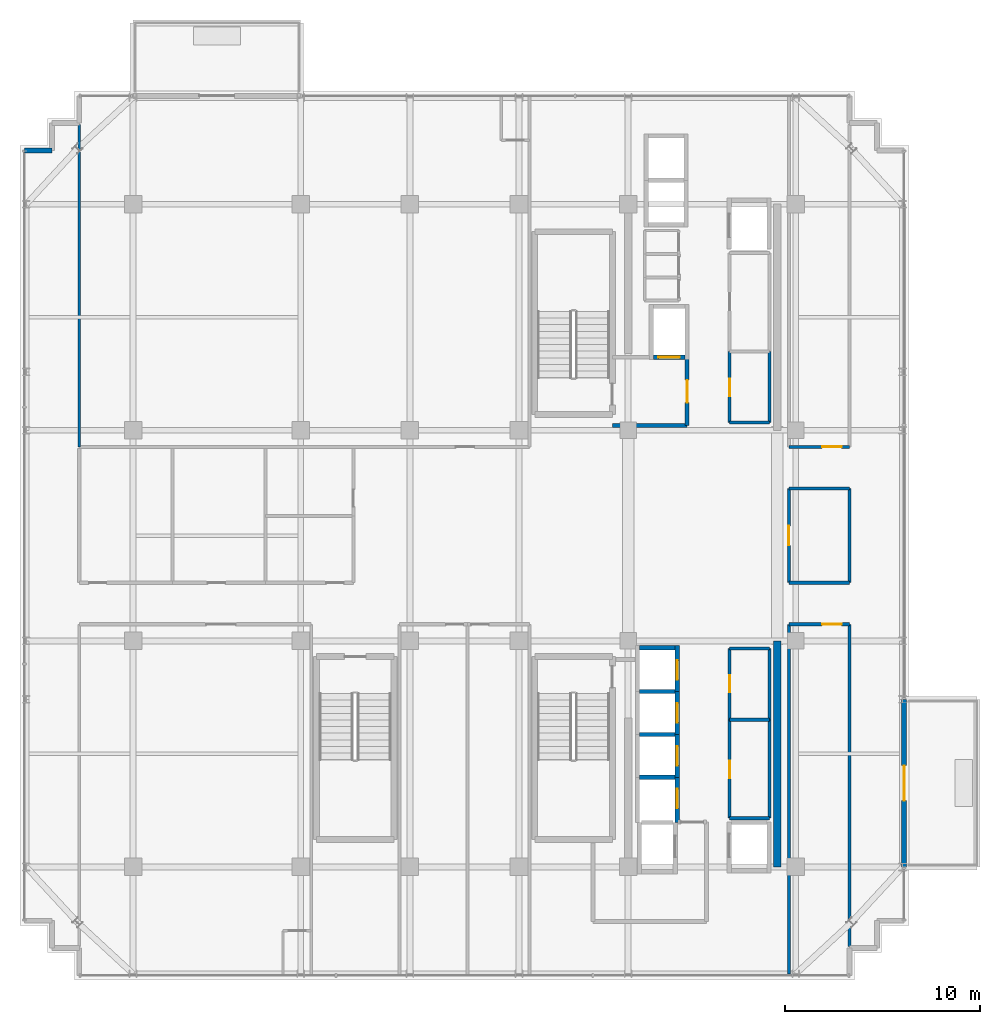
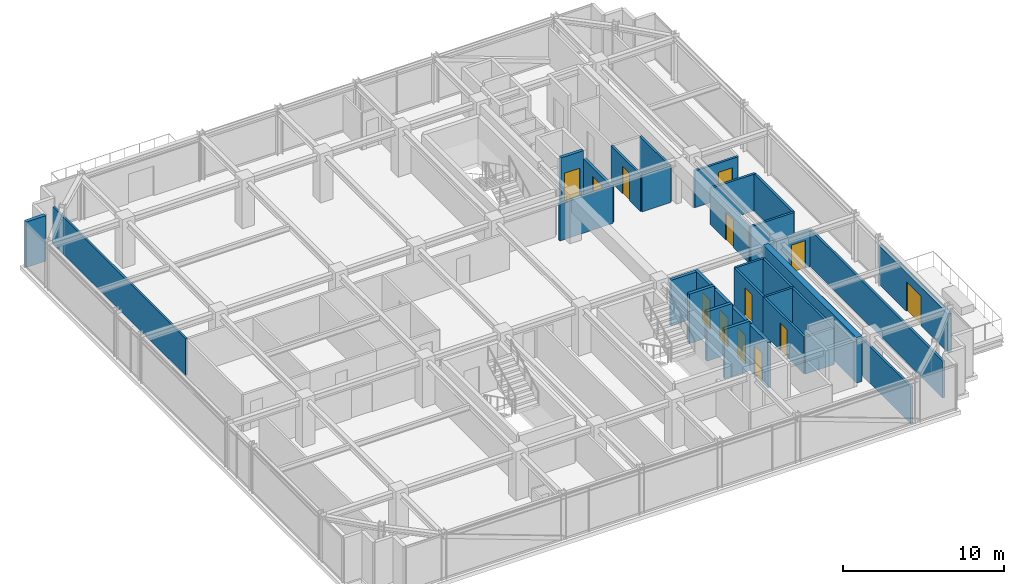
# One storey, part 25 of 31: 33 walls, 13 doors, 13 openings.
"""IFC4 building model written with IfcOpenShell, lengths in metres."""

from ifc_helpers import new_model, si_unit, direction, frame, frame_2d, origin, place, context, subcontext, project, spatial, rectangle, extrude, source, transform, mapped, material, layer, layer_set, type_object, element, fill, save


model = new_model("IFC4")

# Units and contexts
model_context = context("Model", 3, precision=1e-05, world=origin(), true_north=direction((0.0, 1.0)))
body_context = subcontext(model_context, "Body", "Model", "MODEL_VIEW")
ifc_project = project(units=[si_unit("LENGTHUNIT", "METRE"), si_unit("AREAUNIT", "SQUARE_METRE"), si_unit("VOLUMEUNIT", "CUBIC_METRE"), si_unit("PLANEANGLEUNIT", "RADIAN"), si_unit("MASSUNIT", "GRAM", prefix="KILO")], contexts=[model_context])

# Site, building, storey
site_placement = place(None, origin())
site = spatial("IfcSite", under=ifc_project, at=site_placement, CompositionType="ELEMENT")
building_placement = place(site_placement, origin())
building = spatial("IfcBuilding", under=site, at=building_placement, Name="Nahalor Promenade Grand Hotel", CompositionType="ELEMENT")
storey_placement = place(building_placement, frame((0.0, 0.0, 281.300048828125)))
storey = spatial("IfcBuildingStorey", under=building, at=storey_placement, Name="L72", CompositionType="ELEMENT", Elevation=281.300048828125)

# Wall
ifc_material_1 = material(Name="Concrete B-50 (C40/50)", Category="concrete")
ifc_layer_1 = layer(ifc_material_1, 0.39990234375)
ifc_layer_set_1 = layer_set([ifc_layer_1], Name="Concrete B-50 (C40/50)")
wall_type_1 = type_object("IfcWallType", Name="Wall-CoreShear-400", PredefinedType="SHEAR", material=ifc_layer_set_1)
shared_shape_1 = source(origin(), body_context, "Body", "SweptSolid", [
    extrude(rectangle(XDim=11.60009765625, YDim=0.39990234375, at=frame_2d((5.800048828125, 0.0))), origin(), (0.0, 0.0, 1.0), 3.449951171875),
])
wall_1_placement = place(storey_placement, frame((16.050048828125, -17.0, 0.0), z_axis=(0.0, 0.0, 1.0), x_axis=(0.0, 1.0, 0.0)))
element("IfcWall", 1, at=wall_1_placement, inside=storey, type_object=wall_type_1, Name="CWALL-L72-SE", PredefinedType="SHEAR", context=body_context, shape_type="MappedRepresentation", body=[
    mapped(shared_shape_1, transform((0.0, 0.0, 0.0), scale=1.0)),
])

# Wall, opening, door
ifc_layer_2 = layer(ifc_material_1, 0.219970703125)
ifc_layer_set_2 = layer_set([ifc_layer_2], Name="Concrete B-50 (C40/50)")
wall_type_2 = type_object("IfcWallType", Name="Wall-LiftShaft-220", PredefinedType="SHEAR", material=ifc_layer_set_2)
shared_shape_2 = source(origin(), body_context, "Body", "SweptSolid", [
    extrude(rectangle(XDim=2.360107421875, YDim=0.219970703125, at=frame_2d((1.18017578125, 0.0))), origin(), (0.0, 0.0, 1.0), 3.449951171875),
])
wall_2_placement = place(storey_placement, frame((10.919921875, -8.0, 0.0), z_axis=(0.0, 0.0, 1.0), x_axis=(0.0, 1.0, 0.0)))
wall_2 = element("IfcWall", 2, at=wall_2_placement, inside=storey, type_object=wall_type_2, Name="L72 Lift PL9 Hoistway Wall E", PredefinedType="SHEAR", context=body_context, shape_type="MappedRepresentation", body=[
    mapped(shared_shape_2, transform((0.0, 0.0, 0.0), scale=1.0)),
])
opening_1_placement = place(wall_2_placement, frame((0.60009765625, 0.0, 0.0)))
opening_1 = element("IfcOpeningElement", 3, at=opening_1_placement, cuts=wall_2, Name="Opening LD-01", PredefinedType="OPENING", context=body_context, shape_type="SweptSolid", body=[
    extrude(rectangle(XDim=1.0, YDim=2.199951171875, at=frame_2d((0.5, 1.10009765625))), frame((0.0, 0.119873046875, 0.0), z_axis=(0.0, -1.0, 0.0), x_axis=(1.0, 0.0, 0.0)), (0.0, 0.0, 1.0), 0.239990234375),
])
ifc_material_2 = material(Name="Steel S355JR", Category="steel")
door_type_1 = type_object("IfcDoorType", Name="Door-LiftLanding-1000", OperationType="DOUBLE_DOOR_SLIDING", PredefinedType="DOOR", material=ifc_material_2)
shared_shape_3 = source(origin(), body_context, "Body", "SweptSolid", [
    extrude(rectangle(XDim=1.0, YDim=2.199951171875, at=frame_2d((0.5, 1.10009765625))), frame((0.0, 0.02490234375, 0.0), z_axis=(0.0, -1.0, 0.0), x_axis=(1.0, 0.0, 0.0)), (0.0, 0.0, 1.0), 0.050048828125),
])
door_1_placement = place(opening_1_placement, frame((1.0, 0.0, 0.0), z_axis=(0.0, 0.0, 1.0), x_axis=(-1.0, 0.0, 0.0)))
door_1 = element("IfcDoor", 4, at=door_1_placement, inside=storey, type_object=door_type_1, Name="DR-LIFT-PL9-L72", OperationType="DOUBLE_DOOR_SLIDING", OverallHeight=2.199951171875, OverallWidth=1.0, PredefinedType="DOOR", context=body_context, shape_type="MappedRepresentation", body=[
    mapped(shared_shape_3, transform((0.0, 0.0, 0.0), scale=1.0)),
])
fill(opening_1, door_1)

# Wall
shared_shape_4 = source(origin(), body_context, "Body", "SweptSolid", [
    extrude(rectangle(XDim=1.820068359375, YDim=0.219970703125, at=frame_2d((0.91015625, 0.0))), origin(), (0.0, 0.0, 1.0), 3.449951171875),
])
wall_3_placement = place(storey_placement, frame((8.989990234375, -5.75, 0.0), z_axis=(0.0, 0.0, 1.0), x_axis=(1.0, 0.0, 0.0)))
element("IfcWall", 5, at=wall_3_placement, inside=storey, type_object=wall_type_2, Name="L72 Lift PL9 Hoistway Wall N", PredefinedType="SHEAR", context=body_context, shape_type="MappedRepresentation", body=[
    mapped(shared_shape_4, transform((0.0, 0.0, 0.0), scale=1.0)),
])

# Wall, opening, door
shared_shape_5 = source(origin(), body_context, "Body", "SweptSolid", [
    extrude(rectangle(XDim=2.199951171875, YDim=0.219970703125, at=frame_2d((1.10009765625, 0.0))), origin(), (0.0, 0.0, 1.0), 3.449951171875),
])
wall_4_placement = place(storey_placement, frame((10.919921875, -10.199951171875, 0.0), z_axis=(0.0, 0.0, 1.0), x_axis=(0.0, 1.0, 0.0)))
wall_4 = element("IfcWall", 6, at=wall_4_placement, inside=storey, type_object=wall_type_2, Name="L72 Lift PL10 Hoistway Wall E", PredefinedType="SHEAR", context=body_context, shape_type="MappedRepresentation", body=[
    mapped(shared_shape_5, transform((0.0, 0.0, 0.0), scale=1.0)),
])
opening_2_placement = place(wall_4_placement, frame((0.60009765625, 0.0, 0.0)))
opening_2 = element("IfcOpeningElement", 7, at=opening_2_placement, cuts=wall_4, Name="Opening LD-01", PredefinedType="OPENING", context=body_context, shape_type="SweptSolid", body=[
    extrude(rectangle(XDim=1.0, YDim=2.199951171875, at=frame_2d((0.5, 1.10009765625))), frame((0.0, 0.119873046875, 0.0), z_axis=(0.0, -1.0, 0.0), x_axis=(1.0, 0.0, 0.0)), (0.0, 0.0, 1.0), 0.239990234375),
])
door_2_placement = place(opening_2_placement, frame((1.0, 0.0, 0.0), z_axis=(0.0, 0.0, 1.0), x_axis=(-1.0, 0.0, 0.0)))
door_2 = element("IfcDoor", 8, at=door_2_placement, inside=storey, type_object=door_type_1, Name="DR-LIFT-PL10-L72", OperationType="DOUBLE_DOOR_SLIDING", OverallHeight=2.199951171875, OverallWidth=1.0, PredefinedType="DOOR", context=body_context, shape_type="MappedRepresentation", body=[
    mapped(shared_shape_3, transform((0.0, 0.0, 0.0), scale=1.0)),
])
fill(opening_2, door_2)

wall_5_placement = place(storey_placement, frame((10.919921875, -12.39990234375, 0.0), z_axis=(0.0, 0.0, 1.0), x_axis=(0.0, 1.0, 0.0)))
wall_5 = element("IfcWall", 9, at=wall_5_placement, inside=storey, type_object=wall_type_2, Name="L72 Lift PL11 Hoistway Wall E", PredefinedType="SHEAR", context=body_context, shape_type="MappedRepresentation", body=[
    mapped(shared_shape_5, transform((0.0, 0.0, 0.0), scale=1.0)),
])
opening_3_placement = place(wall_5_placement, frame((0.60009765625, 0.0, 0.0)))
opening_3 = element("IfcOpeningElement", 10, at=opening_3_placement, cuts=wall_5, Name="Opening LD-01", PredefinedType="OPENING", context=body_context, shape_type="SweptSolid", body=[
    extrude(rectangle(XDim=1.0, YDim=2.199951171875, at=frame_2d((0.5, 1.10009765625))), frame((0.0, 0.119873046875, 0.0), z_axis=(0.0, -1.0, 0.0), x_axis=(1.0, 0.0, 0.0)), (0.0, 0.0, 1.0), 0.239990234375),
])
door_3_placement = place(opening_3_placement, frame((1.0, 0.0, 0.0), z_axis=(0.0, 0.0, 1.0), x_axis=(-1.0, 0.0, 0.0)))
door_3 = element("IfcDoor", 11, at=door_3_placement, inside=storey, type_object=door_type_1, Name="DR-LIFT-PL11-L72", OperationType="DOUBLE_DOOR_SLIDING", OverallHeight=2.199951171875, OverallWidth=1.0, PredefinedType="DOOR", context=body_context, shape_type="MappedRepresentation", body=[
    mapped(shared_shape_3, transform((0.0, 0.0, 0.0), scale=1.0)),
])
fill(opening_3, door_3)

# Walls
shared_shape_6 = source(origin(), body_context, "Body", "SweptSolid", [
    extrude(rectangle(XDim=1.820068359375, YDim=0.219970703125, at=frame_2d((0.91015625, 0.0))), origin(), (0.0, 0.0, 1.0), 3.75),
])
for number, where, z_axis, x_axis, name in (
    (12, (8.989990234375, -8.0, 0.0), (0.0, 0.0, 1.0), (1.0, 0.0, 0.0), "L72 Lift PL10 Hoistway Wall N"),
    (13, (8.989990234375, -10.199951171875, 0.0), (0.0, 0.0, 1.0), (1.0, 0.0, 0.0), "L72 Lift PL11 Hoistway Wall N"),
    (14, (8.989990234375, -12.39990234375, 0.0), (0.0, 0.0, 1.0), (1.0, 0.0, 0.0), "L72 Lift PL12 Hoistway Wall N"),
):
    element("IfcWall", number, at=place(storey_placement, frame(where, z_axis=z_axis, x_axis=x_axis)), inside=storey, type_object=wall_type_2, Name=name, PredefinedType="SHEAR", context=body_context, shape_type="MappedRepresentation", body=[
        mapped(shared_shape_6, transform((0.0, 0.0, 0.0), scale=1.0)),
    ])

# Wall, opening, door
shared_shape_7 = source(origin(), body_context, "Body", "SweptSolid", [
    extrude(rectangle(XDim=2.3251953125, YDim=0.219970703125, at=frame_2d((1.16259765625, 0.0))), origin(), (0.0, 0.0, 1.0), 3.449951171875),
])
wall_6_placement = place(storey_placement, frame((10.919921875, -14.72509765625, 0.0), z_axis=(0.0, 0.0, 1.0), x_axis=(0.0, 1.0, 0.0)))
wall_6 = element("IfcWall", 15, at=wall_6_placement, inside=storey, type_object=wall_type_2, Name="L72 Lift PL12 Hoistway Wall E", PredefinedType="SHEAR", context=body_context, shape_type="MappedRepresentation", body=[
    mapped(shared_shape_7, transform((0.0, 0.0, 0.0), scale=1.0)),
])
opening_4_placement = place(wall_6_placement, frame((0.72509765625, 0.0, 0.0)))
opening_4 = element("IfcOpeningElement", 16, at=opening_4_placement, cuts=wall_6, Name="Opening LD-01", PredefinedType="OPENING", context=body_context, shape_type="SweptSolid", body=[
    extrude(rectangle(XDim=1.0, YDim=2.199951171875, at=frame_2d((0.5, 1.10009765625))), frame((0.0, 0.119873046875, 0.0), z_axis=(0.0, -1.0, 0.0), x_axis=(1.0, 0.0, 0.0)), (0.0, 0.0, 1.0), 0.239990234375),
])
door_4_placement = place(opening_4_placement, frame((1.0, 0.0, 0.0), z_axis=(0.0, 0.0, 1.0), x_axis=(-1.0, 0.0, 0.0)))
door_4 = element("IfcDoor", 17, at=door_4_placement, inside=storey, type_object=door_type_1, Name="DR-LIFT-PL12-L72", OperationType="DOUBLE_DOOR_SLIDING", OverallHeight=2.199951171875, OverallWidth=1.0, PredefinedType="DOOR", context=body_context, shape_type="MappedRepresentation", body=[
    mapped(shared_shape_3, transform((0.0, 0.0, 0.0), scale=1.0)),
])
fill(opening_4, door_4)

shared_shape_8 = source(origin(), body_context, "Body", "SweptSolid", [
    extrude(rectangle(XDim=1.6201171875, YDim=0.219970703125, at=frame_2d((0.81005859375, 0.0))), origin(), (0.0, 0.0, 1.0), 3.449951171875),
])
wall_7_placement = place(storey_placement, frame((9.68994140625, 9.14990234375, 0.0), z_axis=(0.0, 0.0, 1.0), x_axis=(1.0, 0.0, 0.0)))
wall_7 = element("IfcWall", 18, at=wall_7_placement, inside=storey, type_object=wall_type_2, Name="L72 Lift FL1 Hoistway Wall S", PredefinedType="SHEAR", context=body_context, shape_type="MappedRepresentation", body=[
    mapped(shared_shape_8, transform((0.0, 0.0, 0.0), scale=1.0)),
])
opening_5_placement = place(wall_7_placement, frame((0.260009765625, 0.0, 0.0)))
opening_5 = element("IfcOpeningElement", 19, at=opening_5_placement, cuts=wall_7, Name="Opening LD-02", PredefinedType="OPENING", context=body_context, shape_type="SweptSolid", body=[
    extrude(rectangle(XDim=1.10009765625, YDim=2.199951171875, at=frame_2d((0.550048828125, 1.10009765625))), frame((0.0, 0.119873046875, 0.0), z_axis=(0.0, -1.0, 0.0), x_axis=(1.0, 0.0, 0.0)), (0.0, 0.0, 1.0), 0.239990234375),
])
door_type_2 = type_object("IfcDoorType", Name="Door-LiftFF-1100", OperationType="DOUBLE_DOOR_SLIDING", PredefinedType="DOOR", material=ifc_material_2)
shared_shape_9 = source(origin(), body_context, "Body", "SweptSolid", [
    extrude(rectangle(XDim=1.10009765625, YDim=2.199951171875, at=frame_2d((0.550048828125, 1.10009765625))), frame((0.0, 0.02490234375, 0.0), z_axis=(0.0, -1.0, 0.0), x_axis=(1.0, 0.0, 0.0)), (0.0, 0.0, 1.0), 0.050048828125),
])
door_5_placement = place(opening_5_placement, frame((1.10009765625, 0.0, 0.0), z_axis=(0.0, 0.0, 1.0), x_axis=(-1.0, 0.0, 0.0)))
door_5 = element("IfcDoor", 20, at=door_5_placement, inside=storey, type_object=door_type_2, Name="DR-LIFT-FL1-L72", OperationType="DOUBLE_DOOR_SLIDING", OverallHeight=2.199951171875, OverallWidth=1.10009765625, PredefinedType="DOOR", context=body_context, shape_type="MappedRepresentation", body=[
    mapped(shared_shape_9, transform((0.0, 0.0, 0.0), scale=1.0)),
])
fill(opening_5, door_5)

# Wall
ifc_material_3 = material(Name="Concrete B-40 (C32/40)", Category="concrete")
ifc_layer_3 = layer(ifc_material_3, 0.25)
ifc_layer_set_3 = layer_set([ifc_layer_3], Name="Concrete B-40 (C32/40)")
wall_type_3 = type_object("IfcWallType", Name="Wall-BronzePier-250", PredefinedType="STANDARD", material=ifc_layer_set_3)
shared_shape_10 = source(origin(), body_context, "Body", "SweptSolid", [
    extrude(rectangle(XDim=1.400146484375, YDim=0.25, at=frame_2d((0.7001953125, 0.0))), origin(), (0.0, 0.0, 1.0), 3.449951171875),
])
wall_8_placement = place(storey_placement, frame((-22.56005859375, 19.760009765625, 0.0), z_axis=(0.0, 0.0, 1.0), x_axis=(1.0, 0.0, 0.0)))
element("IfcWall", 21, at=wall_8_placement, inside=storey, type_object=wall_type_3, Name="W-L72-SR-12", PredefinedType="STANDARD", context=body_context, shape_type="MappedRepresentation", body=[
    mapped(shared_shape_10, transform((0.0, 0.0, 0.0), scale=1.0)),
])

# Wall, opening, door
ifc_layer_4 = layer(ifc_material_3, 0.260009765625)
ifc_layer_set_4 = layer_set([ifc_layer_4], Name="Concrete B-40 (C32/40)")
wall_type_4 = type_object("IfcWallType", Name="Wall-BalconyWall-260", PredefinedType="STANDARD", material=ifc_layer_set_4)
shared_shape_11 = source(origin(), body_context, "Body", "SweptSolid", [
    extrude(rectangle(XDim=8.60009765625, YDim=0.260009765625, at=frame_2d((4.300048828125, 0.0))), origin(), (0.0, 0.0, 1.0), 2.929931640625),
])
wall_9_placement = place(storey_placement, frame((22.56005859375, -17.0, 0.0), z_axis=(0.0, 0.0, 1.0), x_axis=(0.0, 1.0, 0.0)))
wall_9 = element("IfcWall", 22, at=wall_9_placement, inside=storey, type_object=wall_type_4, Name="W-L72-BALC-E-2", PredefinedType="STANDARD", context=body_context, shape_type="MappedRepresentation", body=[
    mapped(shared_shape_11, transform((0.0, 0.0, 0.0), scale=1.0)),
])
opening_6_placement = place(wall_9_placement, frame((3.39990234375, 0.0, 0.0)))
opening_6 = element("IfcOpeningElement", 23, at=opening_6_placement, cuts=wall_9, Name="Opening D-BC1", PredefinedType="OPENING", context=body_context, shape_type="SweptSolid", body=[
    extrude(rectangle(XDim=1.800048828125, YDim=2.25, at=frame_2d((0.89990234375, 1.125))), frame((0.0, 0.139892578125, 0.0), z_axis=(0.0, -1.0, 0.0), x_axis=(1.0, 0.0, 0.0)), (0.0, 0.0, 1.0), 0.280029296875),
])
ifc_material_4 = material(Name="Anodised Bronze Aluminium EN AW-6063 T6", Category="aluminium")
door_type_3 = type_object("IfcDoorType", Name="Door-BalconySlide-1800", OperationType="DOUBLE_DOOR_SLIDING", PredefinedType="DOOR", material=ifc_material_4)
shared_shape_12 = source(origin(), body_context, "Body", "SweptSolid", [
    extrude(rectangle(XDim=1.800048828125, YDim=2.25, at=frame_2d((0.89990234375, 1.125))), frame((0.0, 0.02490234375, 0.0), z_axis=(0.0, -1.0, 0.0), x_axis=(1.0, 0.0, 0.0)), (0.0, 0.0, 1.0), 0.050048828125),
])
door_6_placement = place(opening_6_placement, frame((1.800048828125, 0.0, 0.0), z_axis=(0.0, 0.0, 1.0), x_axis=(-1.0, 0.0, 0.0)))
door_6 = element("IfcDoor", 24, at=door_6_placement, inside=storey, type_object=door_type_3, Name="DR-L72-BALC-E-2", OperationType="DOUBLE_DOOR_SLIDING", OverallHeight=2.25, OverallWidth=1.800048828125, PredefinedType="DOOR", context=body_context, shape_type="MappedRepresentation", body=[
    mapped(shared_shape_12, transform((0.0, 0.0, 0.0), scale=1.0)),
])
fill(opening_6, door_6)

# Wall
ifc_layer_5 = layer(ifc_material_3, 0.199951171875)
ifc_layer_set_5 = layer_set([ifc_layer_5], Name="Concrete B-40 (C32/40)")
wall_type_5 = type_object("IfcWallType", Name="Wall-PartFire-200", PredefinedType="PARTITIONING", material=ifc_layer_set_5)
shared_shape_13 = source(origin(), body_context, "Body", "SweptSolid", [
    extrude(rectangle(XDim=3.81982421875, YDim=0.199951171875, at=frame_2d((1.909912109375, 0.0))), origin(), (0.0, 0.0, 1.0), 2.7900390625),
])
wall_10_placement = place(storey_placement, frame((7.60009765625, 5.64990234375, 0.0), z_axis=(0.0, 0.0, 1.0), x_axis=(1.0, 0.0, 0.0)))
element("IfcWall", 25, at=wall_10_placement, inside=storey, type_object=wall_type_5, Name="W-L72-FF1-S", PredefinedType="PARTITIONING", context=body_context, shape_type="MappedRepresentation", body=[
    mapped(shared_shape_13, transform((0.0, 0.0, 0.0), scale=1.0)),
])

# Wall, opening, door
shared_shape_14 = source(origin(), body_context, "Body", "SweptSolid", [
    extrude(rectangle(XDim=3.5, YDim=0.199951171875, at=frame_2d((1.75, 0.0))), origin(), (0.0, 0.0, 1.0), 2.7900390625),
])
wall_11_placement = place(storey_placement, frame((11.419921875, 5.64990234375, 0.0), z_axis=(0.0, 0.0, 1.0), x_axis=(0.0, 1.0, 0.0)))
wall_11 = element("IfcWall", 26, at=wall_11_placement, inside=storey, type_object=wall_type_5, Name="W-L72-FF1-E", PredefinedType="PARTITIONING", context=body_context, shape_type="MappedRepresentation", body=[
    mapped(shared_shape_14, transform((0.0, 0.0, 0.0), scale=1.0)),
])
opening_7_placement = place(wall_11_placement, frame((1.175048828125, 0.0, 0.0)))
opening_7 = element("IfcOpeningElement", 27, at=opening_7_placement, cuts=wall_11, Name="Opening D-FF1", PredefinedType="OPENING", context=body_context, shape_type="SweptSolid", body=[
    extrude(rectangle(XDim=1.14990234375, YDim=2.14990234375, at=frame_2d((0.574951171875, 1.074951171875))), frame((0.0, 0.10986328125, 0.0), z_axis=(0.0, -1.0, 0.0), x_axis=(1.0, 0.0, 0.0)), (0.0, 0.0, 1.0), 0.219970703125),
])
door_type_4 = type_object("IfcDoorType", Name="Door-FFLobby-1150", OperationType="NOTDEFINED", PredefinedType="DOOR", material=ifc_material_2)
shared_shape_15 = source(origin(), body_context, "Body", "SweptSolid", [
    extrude(rectangle(XDim=1.14990234375, YDim=2.14990234375, at=frame_2d((0.574951171875, 1.074951171875))), frame((0.0, 0.02490234375, 0.0), z_axis=(0.0, -1.0, 0.0), x_axis=(1.0, 0.0, 0.0)), (0.0, 0.0, 1.0), 0.050048828125),
])
door_7_placement = place(opening_7_placement, frame((1.14990234375, 0.0, 0.0), z_axis=(0.0, 0.0, 1.0), x_axis=(-1.0, 0.0, 0.0)))
door_7 = element("IfcDoor", 28, at=door_7_placement, inside=storey, type_object=door_type_4, Name="DR-L72-FFL1", OperationType="SINGLE_SWING_RIGHT", OverallHeight=2.14990234375, OverallWidth=1.14990234375, PredefinedType="DOOR", context=body_context, shape_type="MappedRepresentation", body=[
    mapped(shared_shape_15, transform((0.0, 0.0, 0.0), scale=1.0)),
])
fill(opening_7, door_7)

# Walls
ifc_material_5 = material(Name="Acoustic Mineral Gypsum", Category="gypsum")
ifc_layer_6 = layer(ifc_material_5, 0.159912109375)
ifc_layer_set_6 = layer_set([ifc_layer_6], Name="Acoustic Mineral Gypsum")
wall_type_6 = type_object("IfcWallType", Name="Wall-PartCorridor-160", PredefinedType="PARTITIONING", material=ifc_layer_set_6)
shared_shape_16 = source(origin(), body_context, "Body", "SweptSolid", [
    extrude(rectangle(XDim=2.0498046875, YDim=0.159912109375, at=frame_2d((1.02490234375, 0.0))), origin(), (0.0, 0.0, 1.0), 2.7900390625),
])
for number, where, z_axis, x_axis, name in (
    (29, (13.60009765625, 5.800048828125, 0.0), (0.0, 0.0, 1.0), (1.0, 0.0, 0.0), "W-L72-FRB1A-S"),
    (30, (13.60009765625, -14.5, 0.0), (0.0, 0.0, 1.0), (1.0, 0.0, 0.0), "W-L72-FRB2A-S"),
    (31, (13.60009765625, -9.449951171875, 0.0), (0.0, 0.0, 1.0), (1.0, 0.0, 0.0), "W-L72-FRB2A-N"),
    (32, (13.60009765625, -5.800048828125, 0.0), (0.0, 0.0, 1.0), (1.0, 0.0, 0.0), "W-L72-FRB2B-N"),
):
    element("IfcWall", number, at=place(storey_placement, frame(where, z_axis=z_axis, x_axis=x_axis)), inside=storey, type_object=wall_type_6, Name=name, PredefinedType="PARTITIONING", context=body_context, shape_type="MappedRepresentation", body=[
        mapped(shared_shape_16, transform((0.0, 0.0, 0.0), scale=1.0)),
    ])

# Wall, opening, door
shared_shape_17 = source(origin(), body_context, "Body", "SweptSolid", [
    extrude(rectangle(XDim=3.110107421875, YDim=0.159912109375, at=frame_2d((1.55517578125, 0.0))), origin(), (0.0, 0.0, 1.0), 2.7900390625),
])
wall_12_placement = place(storey_placement, frame((16.64990234375, 4.550048828125, 0.0), z_axis=(0.0, 0.0, 1.0), x_axis=(1.0, 0.0, 0.0)))
wall_12 = element("IfcWall", 33, at=wall_12_placement, inside=storey, type_object=wall_type_6, Name="W-L72-ENE-S", PredefinedType="PARTITIONING", context=body_context, shape_type="MappedRepresentation", body=[
    mapped(shared_shape_17, transform((0.0, 0.0, 0.0), scale=1.0)),
])
opening_8_placement = place(wall_12_placement, frame((1.700927734375, 0.0, 0.0)))
opening_8 = element("IfcOpeningElement", 34, at=opening_8_placement, cuts=wall_12, Name="Opening D-04", PredefinedType="OPENING", context=body_context, shape_type="SweptSolid", body=[
    extrude(rectangle(XDim=1.0, YDim=2.10009765625, at=frame_2d((0.5, 1.050048828125))), frame((0.0, 0.08984375, 0.0), z_axis=(0.0, -1.0, 0.0), x_axis=(1.0, 0.0, 0.0)), (0.0, 0.0, 1.0), 0.179931640625),
])
door_type_5 = type_object("IfcDoorType", Name="Door-ServiceFire-1000", OperationType="NOTDEFINED", PredefinedType="DOOR", material=ifc_material_2)
shared_shape_18 = source(origin(), body_context, "Body", "SweptSolid", [
    extrude(rectangle(XDim=1.0, YDim=2.10009765625, at=frame_2d((0.5, 1.050048828125))), frame((0.0, 0.02490234375, 0.0), z_axis=(0.0, -1.0, 0.0), x_axis=(1.0, 0.0, 0.0)), (0.0, 0.0, 1.0), 0.050048828125),
])
door_8_placement = place(opening_8_placement, origin())
door_8 = element("IfcDoor", 35, at=door_8_placement, inside=storey, type_object=door_type_5, Name="DR-L72-ENE", OperationType="SINGLE_SWING_LEFT", OverallHeight=2.10009765625, OverallWidth=1.0, PredefinedType="DOOR", context=body_context, shape_type="MappedRepresentation", body=[
    mapped(shared_shape_18, transform((0.0, 0.0, 0.0), scale=1.0)),
])
fill(opening_8, door_8)

wall_13_placement = place(storey_placement, frame((16.64990234375, -4.550048828125, 0.0), z_axis=(0.0, 0.0, 1.0), x_axis=(1.0, 0.0, 0.0)))
wall_13 = element("IfcWall", 36, at=wall_13_placement, inside=storey, type_object=wall_type_6, Name="W-L72-ESE-N", PredefinedType="PARTITIONING", context=body_context, shape_type="MappedRepresentation", body=[
    mapped(shared_shape_17, transform((0.0, 0.0, 0.0), scale=1.0)),
])
opening_9_placement = place(wall_13_placement, frame((1.700927734375, 0.0, 0.0)))
opening_9 = element("IfcOpeningElement", 37, at=opening_9_placement, cuts=wall_13, Name="Opening D-04", PredefinedType="OPENING", context=body_context, shape_type="SweptSolid", body=[
    extrude(rectangle(XDim=1.0, YDim=2.10009765625, at=frame_2d((0.5, 1.050048828125))), frame((0.0, 0.08984375, 0.0), z_axis=(0.0, -1.0, 0.0), x_axis=(1.0, 0.0, 0.0)), (0.0, 0.0, 1.0), 0.179931640625),
])
door_9_placement = place(opening_9_placement, frame((1.0, 0.0, 0.0), z_axis=(0.0, 0.0, 1.0), x_axis=(-1.0, 0.0, 0.0)))
door_9 = element("IfcDoor", 38, at=door_9_placement, inside=storey, type_object=door_type_5, Name="DR-L72-ESE", OperationType="SINGLE_SWING_RIGHT", OverallHeight=2.10009765625, OverallWidth=1.0, PredefinedType="DOOR", context=body_context, shape_type="MappedRepresentation", body=[
    mapped(shared_shape_18, transform((0.0, 0.0, 0.0), scale=1.0)),
])
fill(opening_9, door_9)

# Walls
for number, where, z_axis, x_axis, name in (
    (39, (16.64990234375, -2.419921875, 0.0), (0.0, 0.0, 1.0), (1.0, 0.0, 0.0), "W-L72-ECW-S"),
    (40, (16.64990234375, 2.419921875, 0.0), (0.0, 0.0, 1.0), (1.0, 0.0, 0.0), "W-L72-ECW-N"),
):
    element("IfcWall", number, at=place(storey_placement, frame(where, z_axis=z_axis, x_axis=x_axis)), inside=storey, type_object=wall_type_6, Name=name, PredefinedType="PARTITIONING", context=body_context, shape_type="MappedRepresentation", body=[
        mapped(shared_shape_17, transform((0.0, 0.0, 0.0), scale=1.0)),
    ])
shared_shape_19 = source(origin(), body_context, "Body", "SweptSolid", [
    extrude(rectangle(XDim=17.949951171875, YDim=0.159912109375, at=frame_2d((8.97509765625, 0.0))), origin(), (0.0, 0.0, 1.0), 2.7900390625),
])
wall_14_placement = place(storey_placement, frame((16.64990234375, -22.5, 0.0), z_axis=(0.0, 0.0, 1.0), x_axis=(0.0, 1.0, 0.0)))
element("IfcWall", 41, at=wall_14_placement, inside=storey, type_object=wall_type_6, Name="W-L72-ESE-W", PredefinedType="PARTITIONING", context=body_context, shape_type="MappedRepresentation", body=[
    mapped(shared_shape_19, transform((0.0, 0.0, 0.0), scale=1.0)),
])
shared_shape_20 = source(origin(), body_context, "Body", "SweptSolid", [
    extrude(rectangle(XDim=16.530029296875, YDim=0.159912109375, at=frame_2d((8.26513671875, 0.0))), origin(), (0.0, 0.0, 1.0), 2.7900390625),
])
wall_15_placement = place(storey_placement, frame((19.760009765625, -21.080078125, 0.0), z_axis=(0.0, 0.0, 1.0), x_axis=(0.0, 1.0, 0.0)))
element("IfcWall", 42, at=wall_15_placement, inside=storey, type_object=wall_type_6, Name="W-L72-ESE-E", PredefinedType="PARTITIONING", context=body_context, shape_type="MappedRepresentation", body=[
    mapped(shared_shape_20, transform((0.0, 0.0, 0.0), scale=1.0)),
])
ifc_layer_7 = layer(ifc_material_5, 0.139892578125)
ifc_layer_set_7 = layer_set([ifc_layer_7], Name="Acoustic Mineral Gypsum")
wall_type_7 = type_object("IfcWallType", Name="Wall-PartSuite-140", PredefinedType="PARTITIONING", material=ifc_layer_set_7)
shared_shape_21 = source(origin(), body_context, "Body", "SweptSolid", [
    extrude(rectangle(XDim=16.530029296875, YDim=0.139892578125, at=frame_2d((8.26513671875, 0.0))), origin(), (0.0, 0.0, 1.0), 2.7900390625),
])
wall_16_placement = place(storey_placement, frame((-19.760009765625, 4.550048828125, 0.0), z_axis=(0.0, 0.0, 1.0), x_axis=(0.0, 1.0, 0.0)))
element("IfcWall", 43, at=wall_16_placement, inside=storey, type_object=wall_type_7, Name="W-L72-NW-ENDW", PredefinedType="PARTITIONING", context=body_context, shape_type="MappedRepresentation", body=[
    mapped(shared_shape_21, transform((0.0, 0.0, 0.0), scale=1.0)),
])

# Wall, opening, door
shared_shape_22 = source(origin(), body_context, "Body", "SweptSolid", [
    extrude(rectangle(XDim=4.83984375, YDim=0.159912109375, at=frame_2d((2.419921875, 0.0))), origin(), (0.0, 0.0, 1.0), 2.7900390625),
])
wall_17_placement = place(storey_placement, frame((16.64990234375, -2.419921875, 0.0), z_axis=(0.0, 0.0, 1.0), x_axis=(0.0, 1.0, 0.0)))
wall_17 = element("IfcWall", 44, at=wall_17_placement, inside=storey, type_object=wall_type_6, Name="W-L72-ECW-W", PredefinedType="PARTITIONING", context=body_context, shape_type="MappedRepresentation", body=[
    mapped(shared_shape_22, transform((0.0, 0.0, 0.0), scale=1.0)),
])
opening_10_placement = place(wall_17_placement, frame((1.919921875, 0.0, 0.0)))
opening_10 = element("IfcOpeningElement", 45, at=opening_10_placement, cuts=wall_17, Name="Opening D-04", PredefinedType="OPENING", context=body_context, shape_type="SweptSolid", body=[
    extrude(rectangle(XDim=1.0, YDim=2.10009765625, at=frame_2d((0.5, 1.050048828125))), frame((0.0, 0.08984375, 0.0), z_axis=(0.0, -1.0, 0.0), x_axis=(1.0, 0.0, 0.0)), (0.0, 0.0, 1.0), 0.179931640625),
])
door_10_placement = place(opening_10_placement, frame((1.0, 0.0, 0.0), z_axis=(0.0, 0.0, 1.0), x_axis=(-1.0, 0.0, 0.0)))
door_10 = element("IfcDoor", 46, at=door_10_placement, inside=storey, type_object=door_type_5, Name="DR-L72-ECW", OperationType="SINGLE_SWING_RIGHT", OverallHeight=2.10009765625, OverallWidth=1.0, PredefinedType="DOOR", context=body_context, shape_type="MappedRepresentation", body=[
    mapped(shared_shape_18, transform((0.0, 0.0, 0.0), scale=1.0)),
])
fill(opening_10, door_10)

# Wall
wall_18_placement = place(storey_placement, frame((19.760009765625, -2.419921875, 0.0), z_axis=(0.0, 0.0, 1.0), x_axis=(0.0, 1.0, 0.0)))
element("IfcWall", 47, at=wall_18_placement, inside=storey, type_object=wall_type_6, Name="W-L72-ECW-E", PredefinedType="PARTITIONING", context=body_context, shape_type="MappedRepresentation", body=[
    mapped(shared_shape_22, transform((0.0, 0.0, 0.0), scale=1.0)),
])

# Wall, opening, door
shared_shape_23 = source(origin(), body_context, "Body", "SweptSolid", [
    extrude(rectangle(XDim=3.64990234375, YDim=0.159912109375, at=frame_2d((1.824951171875, 0.0))), origin(), (0.0, 0.0, 1.0), 2.7900390625),
])
wall_19_placement = place(storey_placement, frame((13.60009765625, 5.800048828125, 0.0), z_axis=(0.0, 0.0, 1.0), x_axis=(0.0, 1.0, 0.0)))
wall_19 = element("IfcWall", 48, at=wall_19_placement, inside=storey, type_object=wall_type_6, Name="W-L72-FRB1A-W", PredefinedType="PARTITIONING", context=body_context, shape_type="MappedRepresentation", body=[
    mapped(shared_shape_23, transform((0.0, 0.0, 0.0), scale=1.0)),
])
opening_11_placement = place(wall_19_placement, frame((1.360107421875, 0.0, 0.0)))
opening_11 = element("IfcOpeningElement", 49, at=opening_11_placement, cuts=wall_19, Name="Opening D-03", PredefinedType="OPENING", context=body_context, shape_type="SweptSolid", body=[
    extrude(rectangle(XDim=0.8798828125, YDim=2.10009765625, at=frame_2d((0.43994140625, 1.050048828125))), frame((0.0, 0.08984375, 0.0), z_axis=(0.0, -1.0, 0.0), x_axis=(1.0, 0.0, 0.0)), (0.0, 0.0, 1.0), 0.179931640625),
])
ifc_material_6 = material(Name="Fire-Rated Timber Composite", Category="wood")
door_type_6 = type_object("IfcDoorType", Name="Door-BathSwing-880", OperationType="NOTDEFINED", PredefinedType="DOOR", material=ifc_material_6)
shared_shape_24 = source(origin(), body_context, "Body", "SweptSolid", [
    extrude(rectangle(XDim=0.8798828125, YDim=2.10009765625, at=frame_2d((0.43994140625, 1.050048828125))), frame((0.0, 0.02490234375, 0.0), z_axis=(0.0, -1.0, 0.0), x_axis=(1.0, 0.0, 0.0)), (0.0, 0.0, 1.0), 0.050048828125),
])
door_11_placement = place(opening_11_placement, frame((0.8798828125, 0.0, 0.0), z_axis=(0.0, 0.0, 1.0), x_axis=(-1.0, 0.0, 0.0)))
door_11 = element("IfcDoor", 50, at=door_11_placement, inside=storey, type_object=door_type_6, Name="DR-L72-FRB1A", OperationType="SINGLE_SWING_LEFT", OverallHeight=2.10009765625, OverallWidth=0.8798828125, PredefinedType="DOOR", context=body_context, shape_type="MappedRepresentation", body=[
    mapped(shared_shape_24, transform((0.0, 0.0, 0.0), scale=1.0)),
])
fill(opening_11, door_11)

# Wall
wall_20_placement = place(storey_placement, frame((15.64990234375, 5.800048828125, 0.0), z_axis=(0.0, 0.0, 1.0), x_axis=(0.0, 1.0, 0.0)))
element("IfcWall", 51, at=wall_20_placement, inside=storey, type_object=wall_type_6, Name="W-L72-FRB1A-E", PredefinedType="PARTITIONING", context=body_context, shape_type="MappedRepresentation", body=[
    mapped(shared_shape_23, transform((0.0, 0.0, 0.0), scale=1.0)),
])

# Wall, opening, door
wall_21_placement = place(storey_placement, frame((13.60009765625, -9.449951171875, 0.0), z_axis=(0.0, 0.0, 1.0), x_axis=(0.0, 1.0, 0.0)))
wall_21 = element("IfcWall", 52, at=wall_21_placement, inside=storey, type_object=wall_type_6, Name="W-L72-FRB2B-W", PredefinedType="PARTITIONING", context=body_context, shape_type="MappedRepresentation", body=[
    mapped(shared_shape_23, transform((0.0, 0.0, 0.0), scale=1.0)),
])
opening_12_placement = place(wall_21_placement, frame((1.409912109375, 0.0, 0.0)))
opening_12 = element("IfcOpeningElement", 53, at=opening_12_placement, cuts=wall_21, Name="Opening D-03", PredefinedType="OPENING", context=body_context, shape_type="SweptSolid", body=[
    extrude(rectangle(XDim=0.8798828125, YDim=2.10009765625, at=frame_2d((0.43994140625, 1.050048828125))), frame((0.0, 0.08984375, 0.0), z_axis=(0.0, -1.0, 0.0), x_axis=(1.0, 0.0, 0.0)), (0.0, 0.0, 1.0), 0.179931640625),
])
door_12_placement = place(opening_12_placement, frame((0.8798828125, 0.0, 0.0), z_axis=(0.0, 0.0, 1.0), x_axis=(-1.0, 0.0, 0.0)))
door_12 = element("IfcDoor", 54, at=door_12_placement, inside=storey, type_object=door_type_6, Name="DR-L72-FRB2B", OperationType="SINGLE_SWING_RIGHT", OverallHeight=2.10009765625, OverallWidth=0.8798828125, PredefinedType="DOOR", context=body_context, shape_type="MappedRepresentation", body=[
    mapped(shared_shape_24, transform((0.0, 0.0, 0.0), scale=1.0)),
])
fill(opening_12, door_12)

# Wall
wall_22_placement = place(storey_placement, frame((15.64990234375, -9.449951171875, 0.0), z_axis=(0.0, 0.0, 1.0), x_axis=(0.0, 1.0, 0.0)))
element("IfcWall", 55, at=wall_22_placement, inside=storey, type_object=wall_type_6, Name="W-L72-FRB2B-E", PredefinedType="PARTITIONING", context=body_context, shape_type="MappedRepresentation", body=[
    mapped(shared_shape_23, transform((0.0, 0.0, 0.0), scale=1.0)),
])

# Wall, opening, door
shared_shape_25 = source(origin(), body_context, "Body", "SweptSolid", [
    extrude(rectangle(XDim=5.050048828125, YDim=0.159912109375, at=frame_2d((2.52490234375, 0.0))), origin(), (0.0, 0.0, 1.0), 2.7900390625),
])
wall_23_placement = place(storey_placement, frame((13.60009765625, -14.5, 0.0), z_axis=(0.0, 0.0, 1.0), x_axis=(0.0, 1.0, 0.0)))
wall_23 = element("IfcWall", 56, at=wall_23_placement, inside=storey, type_object=wall_type_6, Name="W-L72-FRB2A-W", PredefinedType="PARTITIONING", context=body_context, shape_type="MappedRepresentation", body=[
    mapped(shared_shape_25, transform((0.0, 0.0, 0.0), scale=1.0)),
])
opening_13_placement = place(wall_23_placement, frame((2.06005859375, 0.0, 0.0)))
opening_13 = element("IfcOpeningElement", 57, at=opening_13_placement, cuts=wall_23, Name="Opening D-03", PredefinedType="OPENING", context=body_context, shape_type="SweptSolid", body=[
    extrude(rectangle(XDim=0.8798828125, YDim=2.10009765625, at=frame_2d((0.43994140625, 1.050048828125))), frame((0.0, 0.08984375, 0.0), z_axis=(0.0, -1.0, 0.0), x_axis=(1.0, 0.0, 0.0)), (0.0, 0.0, 1.0), 0.179931640625),
])
door_13_placement = place(opening_13_placement, frame((0.8798828125, 0.0, 0.0), z_axis=(0.0, 0.0, 1.0), x_axis=(-1.0, 0.0, 0.0)))
door_13 = element("IfcDoor", 58, at=door_13_placement, inside=storey, type_object=door_type_6, Name="DR-L72-FRB2A", OperationType="SINGLE_SWING_LEFT", OverallHeight=2.10009765625, OverallWidth=0.8798828125, PredefinedType="DOOR", context=body_context, shape_type="MappedRepresentation", body=[
    mapped(shared_shape_24, transform((0.0, 0.0, 0.0), scale=1.0)),
])
fill(opening_13, door_13)

# Wall
wall_24_placement = place(storey_placement, frame((15.64990234375, -14.5, 0.0), z_axis=(0.0, 0.0, 1.0), x_axis=(0.0, 1.0, 0.0)))
element("IfcWall", 59, at=wall_24_placement, inside=storey, type_object=wall_type_6, Name="W-L72-FRB2A-E", PredefinedType="PARTITIONING", context=body_context, shape_type="MappedRepresentation", body=[
    mapped(shared_shape_25, transform((0.0, 0.0, 0.0), scale=1.0)),
])

save(model, "model.ifc")
